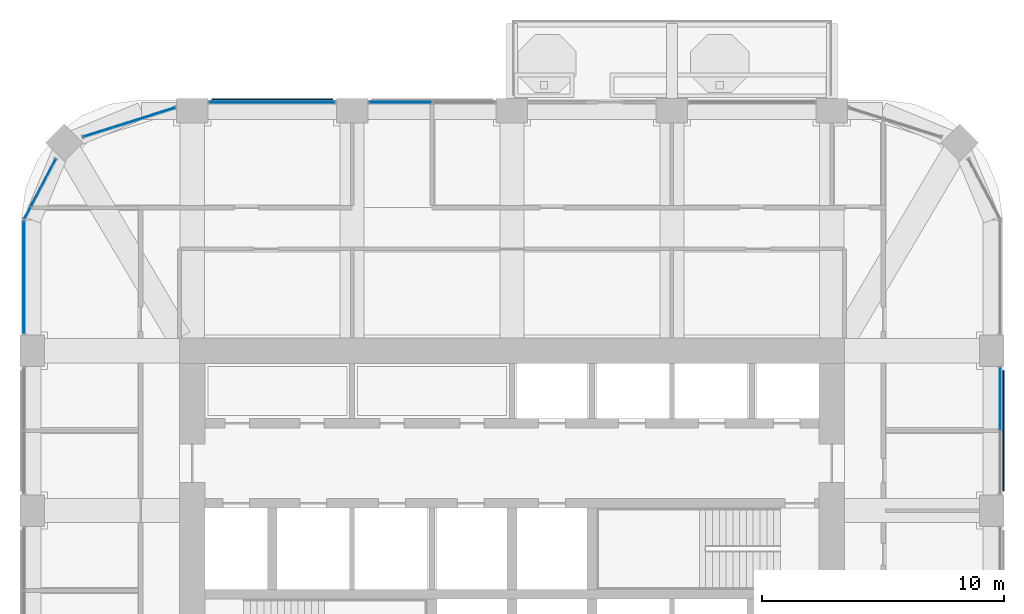
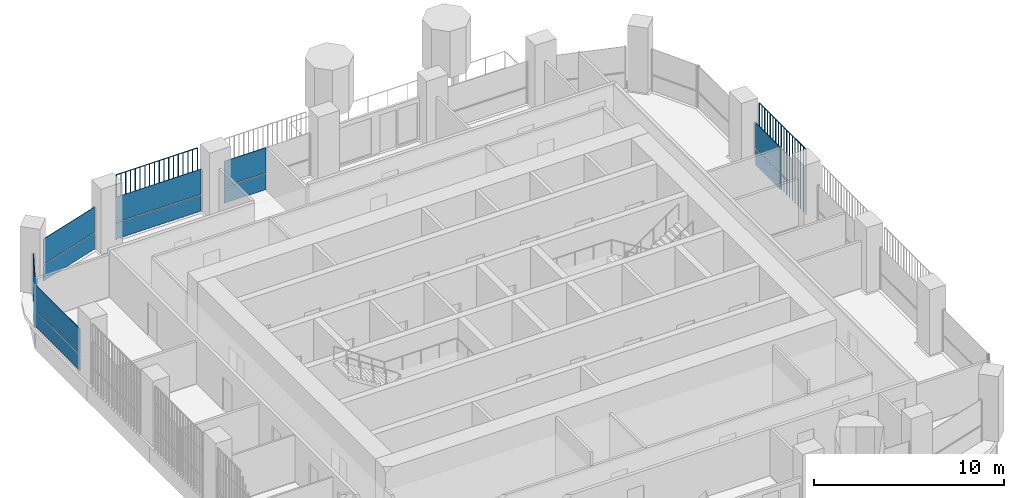
# One storey, part 12 of 20: 16 plates, 6 elements without a shape of their own.
"""IFC4 building model written with IfcOpenShell, lengths in metres."""

from ifc_helpers import new_model, si_unit, direction, frame, origin, origin_2d, place, context, subcontext, project, spatial, polyline, rectangle, outline, extrude, material, layer, layer_set, type_object, element, aggregate, save


model = new_model("IFC4")

# Units and contexts
model_context = context("Model", 3, precision=1e-05, world=origin(), true_north=direction((0.0, 1.0)))
body_context = subcontext(model_context, "Body", "Model", "MODEL_VIEW")
ifc_project = project(units=[si_unit("LENGTHUNIT", "METRE"), si_unit("AREAUNIT", "SQUARE_METRE"), si_unit("VOLUMEUNIT", "CUBIC_METRE"), si_unit("PLANEANGLEUNIT", "RADIAN"), si_unit("MASSUNIT", "GRAM", prefix="KILO")], contexts=[model_context])

# Site, building, storey
site_placement = place(None, origin())
site = spatial("IfcSite", under=ifc_project, at=site_placement, CompositionType="ELEMENT")
building_placement = place(site_placement, origin())
building = spatial("IfcBuilding", under=site, at=building_placement, Name="Cobogo Forest Laboratory Tower", CompositionType="ELEMENT")
storey_placement = place(building_placement, frame((0.0, 0.0, 233.39990234375)))
storey = spatial("IfcBuildingStorey", under=building, at=storey_placement, Name="L53", CompositionType="ELEMENT", Elevation=233.39990234375)

# Curtain wall, plates
ifc_material_1 = material(Name="Aluminium curtain wall", Category="aluminium")
curtain_wall_type = type_object("IfcCurtainWallType", Name="CW-2 unitised curtain wall, solar control glazing, laboratory floors zones C and D", PredefinedType="USERDEFINED", material=ifc_material_1)
curtain_wall_1_placement = place(storey_placement, origin())
curtain_wall_1 = element("IfcCurtainWall", 1, at=curtain_wall_1_placement, inside=storey, type_object=curtain_wall_type, Name="Curtain wall 10 L53", ObjectType="UNITISED CURTAIN WALL", PredefinedType="USERDEFINED")
ifc_material_2 = material(Name="Solar control insulated glass", Category="glass")
ifc_layer = layer(ifc_material_2, 0.031982421875)
ifc_layer_set = layer_set([ifc_layer], Name="GP-2 solar control glass unit 32")
plate_type_1 = type_object("IfcPlateType", Name="GP-2 solar control glass unit 32", PredefinedType="CURTAIN_PANEL", material=ifc_layer_set)
plate_1_placement = place(storey_placement, frame((46.550048828125, 31.010009765625, 0.0), z_axis=(0.0, 0.0, 1.0), x_axis=(0.0, 1.0, 0.0)))
plate_1 = element("IfcPlate", 2, at=plate_1_placement, type_object=plate_type_1, Name="CW-2 panel 2.1", PredefinedType="CURTAIN_PANEL", context=body_context, shape_type="SweptSolid", body=[
    extrude(rectangle(XDim=2.56005859375, YDim=0.031982421875, at=origin_2d()), origin(), (0.0, 0.0, 1.0), 1.02001953125),
])
plate_2_placement = place(storey_placement, frame((46.550048828125, 31.010009765625, 1.080078125), z_axis=(0.0, 0.0, 1.0), x_axis=(0.0, 1.0, 0.0)))
plate_2 = element("IfcPlate", 3, at=plate_2_placement, type_object=plate_type_1, Name="CW-2 panel 2.2", PredefinedType="CURTAIN_PANEL", context=body_context, shape_type="SweptSolid", body=[
    extrude(rectangle(XDim=2.56005859375, YDim=0.031982421875, at=origin_2d()), origin(), (0.0, 0.0, 1.0), 1.6201171875),
])
aggregate(curtain_wall_1, [plate_1, plate_2])

curtain_wall_2_placement = place(storey_placement, origin())
curtain_wall_2 = element("IfcCurtainWall", 4, at=curtain_wall_2_placement, inside=storey, type_object=curtain_wall_type, Name="Curtain wall 16 L53", ObjectType="UNITISED CURTAIN WALL", PredefinedType="USERDEFINED")
plate_3_placement = place(storey_placement, frame((21.7900390625, 43.25, 0.0), z_axis=(0.0, 0.0, 1.0), x_axis=(-1.0, 0.0, 0.0)))
plate_3 = element("IfcPlate", 5, at=plate_3_placement, type_object=plate_type_1, Name="CW-2 panel 2.1", PredefinedType="CURTAIN_PANEL", context=body_context, shape_type="SweptSolid", body=[
    extrude(rectangle(XDim=2.56005859375, YDim=0.031982421875, at=origin_2d()), origin(), (0.0, 0.0, 1.0), 1.02001953125),
])
plate_4_placement = place(storey_placement, frame((21.7900390625, 43.25, 1.080078125), z_axis=(0.0, 0.0, 1.0), x_axis=(-1.0, 0.0, 0.0)))
plate_4 = element("IfcPlate", 6, at=plate_4_placement, type_object=plate_type_1, Name="CW-2 panel 2.2", PredefinedType="CURTAIN_PANEL", context=body_context, shape_type="SweptSolid", body=[
    extrude(rectangle(XDim=2.56005859375, YDim=0.031982421875, at=origin_2d()), origin(), (0.0, 0.0, 1.0), 1.6201171875),
])
aggregate(curtain_wall_2, [plate_3, plate_4])

curtain_wall_3_placement = place(storey_placement, origin())
curtain_wall_3 = element("IfcCurtainWall", 7, at=curtain_wall_3_placement, inside=storey, type_object=curtain_wall_type, Name="Curtain wall 17 L53", ObjectType="UNITISED CURTAIN WALL", PredefinedType="USERDEFINED")
plate_5_placement = place(storey_placement, frame((16.5, 43.25, 0.0), z_axis=(0.0, 0.0, 1.0), x_axis=(-1.0, 0.0, 0.0)))
plate_5 = element("IfcPlate", 8, at=plate_5_placement, type_object=plate_type_1, Name="CW-2 panel 1.1", PredefinedType="CURTAIN_PANEL", context=body_context, shape_type="SweptSolid", body=[
    extrude(rectangle(XDim=5.179931640625, YDim=0.031982421875, at=origin_2d()), origin(), (0.0, 0.0, 1.0), 1.02001953125),
])
plate_6_placement = place(storey_placement, frame((16.5, 43.25, 1.080078125), z_axis=(0.0, 0.0, 1.0), x_axis=(-1.0, 0.0, 0.0)))
plate_6 = element("IfcPlate", 9, at=plate_6_placement, type_object=plate_type_1, Name="CW-2 panel 1.2", PredefinedType="CURTAIN_PANEL", context=body_context, shape_type="SweptSolid", body=[
    extrude(rectangle(XDim=5.179931640625, YDim=0.031982421875, at=origin_2d()), origin(), (0.0, 0.0, 1.0), 1.6201171875),
])
aggregate(curtain_wall_3, [plate_5, plate_6])

curtain_wall_4_placement = place(storey_placement, origin())
curtain_wall_4 = element("IfcCurtainWall", 10, at=curtain_wall_4_placement, inside=storey, type_object=curtain_wall_type, Name="Curtain wall 18 L53", ObjectType="UNITISED CURTAIN WALL", PredefinedType="USERDEFINED")
plate_7_placement = place(storey_placement, frame((10.599365234375, 42.4287109375, 0.0), z_axis=(0.0, 0.0, 1.0), x_axis=(-0.953581331491, -0.301135591107, 0.0)))
plate_7 = element("IfcPlate", 11, at=plate_7_placement, type_object=plate_type_1, Name="CW-2 panel 1.1", PredefinedType="CURTAIN_PANEL", context=body_context, shape_type="SweptSolid", body=[
    extrude(rectangle(XDim=3.970947265625, YDim=0.031982421875, at=origin_2d()), origin(), (0.0, 0.0, 1.0), 1.02001953125),
])
plate_8_placement = place(storey_placement, frame((10.599365234375, 42.4287109375, 1.080078125), z_axis=(0.0, 0.0, 1.0), x_axis=(-0.953581331491, -0.301135591107, 0.0)))
plate_8 = element("IfcPlate", 12, at=plate_8_placement, type_object=plate_type_1, Name="CW-2 panel 1.2", PredefinedType="CURTAIN_PANEL", context=body_context, shape_type="SweptSolid", body=[
    extrude(rectangle(XDim=3.970947265625, YDim=0.031982421875, at=origin_2d()), origin(), (0.0, 0.0, 1.0), 1.6201171875),
])
aggregate(curtain_wall_4, [plate_7, plate_8])

curtain_wall_5_placement = place(storey_placement, origin())
curtain_wall_5 = element("IfcCurtainWall", 13, at=curtain_wall_5_placement, inside=storey, type_object=curtain_wall_type, Name="Curtain wall 19 L53", ObjectType="UNITISED CURTAIN WALL", PredefinedType="USERDEFINED")
plate_9_placement = place(storey_placement, frame((7.052490234375, 39.930908203125, 0.0), z_axis=(0.0, 0.0, 1.0), x_axis=(-0.464283804832, -0.885686484356, 0.0)))
plate_9 = element("IfcPlate", 14, at=plate_9_placement, type_object=plate_type_1, Name="CW-2 panel 1.1", PredefinedType="CURTAIN_PANEL", context=body_context, shape_type="SweptSolid", body=[
    extrude(rectangle(XDim=2.183837890625, YDim=0.031982421875, at=origin_2d()), origin(), (0.0, 0.0, 1.0), 1.02001953125),
])
plate_10_placement = place(storey_placement, frame((7.052490234375, 39.930908203125, 1.080078125), z_axis=(0.0, 0.0, 1.0), x_axis=(-0.464283804832, -0.885686484356, 0.0)))
plate_10 = element("IfcPlate", 15, at=plate_10_placement, type_object=plate_type_1, Name="CW-2 panel 1.2", PredefinedType="CURTAIN_PANEL", context=body_context, shape_type="SweptSolid", body=[
    extrude(rectangle(XDim=2.183837890625, YDim=0.031982421875, at=origin_2d()), origin(), (0.0, 0.0, 1.0), 1.6201171875),
])
plate_11_placement = place(storey_placement, frame((6.397705078125, 38.681884765625, 0.0), z_axis=(0.0, 0.0, 1.0), x_axis=(-0.464283804832, -0.885686484356, 0.0)))
plate_11 = element("IfcPlate", 16, at=plate_11_placement, type_object=plate_type_1, Name="CW-2 panel 2.1", PredefinedType="CURTAIN_PANEL", context=body_context, shape_type="SweptSolid", body=[
    extrude(rectangle(XDim=0.516357421875, YDim=0.031982421875, at=origin_2d()), origin(), (0.0, 0.0, 1.0), 1.02001953125),
])
plate_12_placement = place(storey_placement, frame((6.397705078125, 38.681884765625, 1.080078125), z_axis=(0.0, 0.0, 1.0), x_axis=(-0.464283804832, -0.885686484356, 0.0)))
plate_12 = element("IfcPlate", 17, at=plate_12_placement, type_object=plate_type_1, Name="CW-2 panel 2.2", PredefinedType="CURTAIN_PANEL", context=body_context, shape_type="SweptSolid", body=[
    extrude(rectangle(XDim=0.516357421875, YDim=0.031982421875, at=origin_2d()), origin(), (0.0, 0.0, 1.0), 1.6201171875),
])
aggregate(curtain_wall_5, [plate_9, plate_10, plate_11, plate_12])

curtain_wall_6_placement = place(storey_placement, origin())
curtain_wall_6 = element("IfcCurtainWall", 18, at=curtain_wall_6_placement, inside=storey, type_object=curtain_wall_type, Name="Curtain wall 20 L53", ObjectType="UNITISED CURTAIN WALL", PredefinedType="USERDEFINED")
plate_13_placement = place(storey_placement, frame((6.25, 36.02490234375, 0.0), z_axis=(0.0, 0.0, 1.0), x_axis=(0.0, -1.0, 0.0)))
plate_13 = element("IfcPlate", 19, at=plate_13_placement, type_object=plate_type_1, Name="CW-2 panel 1.1", PredefinedType="CURTAIN_PANEL", context=body_context, shape_type="SweptSolid", body=[
    extrude(rectangle(XDim=4.6298828125, YDim=0.031982421875, at=origin_2d()), origin(), (0.0, 0.0, 1.0), 1.02001953125),
])
plate_14_placement = place(storey_placement, frame((6.25, 36.02490234375, 1.080078125), z_axis=(0.0, 0.0, 1.0), x_axis=(0.0, -1.0, 0.0)))
plate_14 = element("IfcPlate", 20, at=plate_14_placement, type_object=plate_type_1, Name="CW-2 panel 1.2", PredefinedType="CURTAIN_PANEL", context=body_context, shape_type="SweptSolid", body=[
    extrude(rectangle(XDim=4.6298828125, YDim=0.031982421875, at=origin_2d()), origin(), (0.0, 0.0, 1.0), 1.6201171875),
])
aggregate(curtain_wall_6, [plate_13, plate_14])

# Plates
ifc_material_3 = material(Name="Terracotta", Category="masonry")
plate_type_2 = type_object("IfcPlateType", Name="TB1 terracotta baguette screen", PredefinedType="USERDEFINED", material=ifc_material_3)
plate_15_placement = place(storey_placement, frame((46.677978515625, 27.231201171875, -0.14990234375)))
element("IfcPlate", 21, at=plate_15_placement, inside=storey, type_object=plate_type_2, Name="Baguette screen E3 L53", ObjectType="BAGUETTE SCREEN", PredefinedType="USERDEFINED", context=body_context, shape_type="SweptSolid", body=[
    extrude(outline(polyline([(0.02880859375, 0.011962890625), (0.011962890625, 0.02880859375), (-0.011962890625, 0.02880859375), (-0.02880859375, 0.011962890625), (-0.02880859375, -0.011962890625), (-0.011962890625, -0.02880859375), (0.011962890625, -0.02880859375), (0.02880859375, -0.011962890625), (0.02880859375, 0.011962890625)])), frame((0.0, 0.0, 4.168701171875), z_axis=(0.0, 1.0, 0.0), x_axis=(-1.0, 0.0, 0.0)), (0.0, 0.0, 1.0), 4.9375),
    extrude(outline(polyline([(0.02880859375, 0.011962890625), (0.011962890625, 0.02880859375), (-0.011962890625, 0.02880859375), (-0.02880859375, 0.011962890625), (-0.02880859375, -0.011962890625), (-0.011962890625, -0.02880859375), (0.011962890625, -0.02880859375), (0.02880859375, -0.011962890625), (0.02880859375, 0.011962890625)])), origin(), (0.0, 0.0, 1.0), 4.137451171875),
    extrude(outline(polyline([(0.02880859375, 0.011962890625), (0.011962890625, 0.02880859375), (-0.011962890625, 0.02880859375), (-0.02880859375, 0.011962890625), (-0.02880859375, -0.011962890625), (-0.011962890625, -0.02880859375), (0.011962890625, -0.02880859375), (0.02880859375, -0.011962890625), (0.02880859375, 0.011962890625)])), frame((0.0, 0.29052734375, 0.0)), (0.0, 0.0, 1.0), 4.137451171875),
    extrude(outline(polyline([(0.02880859375, 0.011962890625), (0.011962890625, 0.02880859375), (-0.011962890625, 0.02880859375), (-0.02880859375, 0.011962890625), (-0.02880859375, -0.011962890625), (-0.011962890625, -0.02880859375), (0.011962890625, -0.02880859375), (0.02880859375, -0.011962890625), (0.02880859375, 0.011962890625)])), frame((0.0, 0.580810546875, 0.0)), (0.0, 0.0, 1.0), 4.137451171875),
    extrude(outline(polyline([(0.02880859375, 0.011962890625), (0.011962890625, 0.02880859375), (-0.011962890625, 0.02880859375), (-0.02880859375, 0.011962890625), (-0.02880859375, -0.011962890625), (-0.011962890625, -0.02880859375), (0.011962890625, -0.02880859375), (0.02880859375, -0.011962890625), (0.02880859375, 0.011962890625)])), frame((0.0, 0.871337890625, 0.0)), (0.0, 0.0, 1.0), 4.137451171875),
    extrude(outline(polyline([(0.02880859375, 0.011962890625), (0.011962890625, 0.02880859375), (-0.011962890625, 0.02880859375), (-0.02880859375, 0.011962890625), (-0.02880859375, -0.011962890625), (-0.011962890625, -0.02880859375), (0.011962890625, -0.02880859375), (0.02880859375, -0.011962890625), (0.02880859375, 0.011962890625)])), frame((0.0, 1.161865234375, 0.0)), (0.0, 0.0, 1.0), 4.137451171875),
    extrude(outline(polyline([(0.02880859375, 0.011962890625), (0.011962890625, 0.02880859375), (-0.011962890625, 0.02880859375), (-0.02880859375, 0.011962890625), (-0.02880859375, -0.011962890625), (-0.011962890625, -0.02880859375), (0.011962890625, -0.02880859375), (0.02880859375, -0.011962890625), (0.02880859375, 0.011962890625)])), frame((0.0, 1.4521484375, 0.0)), (0.0, 0.0, 1.0), 4.137451171875),
    extrude(outline(polyline([(0.02880859375, 0.011962890625), (0.011962890625, 0.02880859375), (-0.011962890625, 0.02880859375), (-0.02880859375, 0.011962890625), (-0.02880859375, -0.011962890625), (-0.011962890625, -0.02880859375), (0.011962890625, -0.02880859375), (0.02880859375, -0.011962890625), (0.02880859375, 0.011962890625)])), frame((0.0, 1.74267578125, 0.0)), (0.0, 0.0, 1.0), 4.137451171875),
    extrude(outline(polyline([(0.02880859375, 0.011962890625), (0.011962890625, 0.02880859375), (-0.011962890625, 0.02880859375), (-0.02880859375, 0.011962890625), (-0.02880859375, -0.011962890625), (-0.011962890625, -0.02880859375), (0.011962890625, -0.02880859375), (0.02880859375, -0.011962890625), (0.02880859375, 0.011962890625)])), frame((0.0, 2.033203125, 0.0)), (0.0, 0.0, 1.0), 4.137451171875),
    extrude(outline(polyline([(0.02880859375, 0.011962890625), (0.011962890625, 0.02880859375), (-0.011962890625, 0.02880859375), (-0.02880859375, 0.011962890625), (-0.02880859375, -0.011962890625), (-0.011962890625, -0.02880859375), (0.011962890625, -0.02880859375), (0.02880859375, -0.011962890625), (0.02880859375, 0.011962890625)])), frame((0.0, 2.323486328125, 0.0)), (0.0, 0.0, 1.0), 4.137451171875),
    extrude(outline(polyline([(0.02880859375, 0.011962890625), (0.011962890625, 0.02880859375), (-0.011962890625, 0.02880859375), (-0.02880859375, 0.011962890625), (-0.02880859375, -0.011962890625), (-0.011962890625, -0.02880859375), (0.011962890625, -0.02880859375), (0.02880859375, -0.011962890625), (0.02880859375, 0.011962890625)])), frame((0.0, 2.614013671875, 0.0)), (0.0, 0.0, 1.0), 4.137451171875),
    extrude(outline(polyline([(0.02880859375, 0.011962890625), (0.011962890625, 0.02880859375), (-0.011962890625, 0.02880859375), (-0.02880859375, 0.011962890625), (-0.02880859375, -0.011962890625), (-0.011962890625, -0.02880859375), (0.011962890625, -0.02880859375), (0.02880859375, -0.011962890625), (0.02880859375, 0.011962890625)])), frame((0.0, 2.904296875, 0.0)), (0.0, 0.0, 1.0), 4.137451171875),
    extrude(outline(polyline([(0.02880859375, 0.011962890625), (0.011962890625, 0.02880859375), (-0.011962890625, 0.02880859375), (-0.02880859375, 0.011962890625), (-0.02880859375, -0.011962890625), (-0.011962890625, -0.02880859375), (0.011962890625, -0.02880859375), (0.02880859375, -0.011962890625), (0.02880859375, 0.011962890625)])), frame((0.0, 3.19482421875, 0.0)), (0.0, 0.0, 1.0), 4.137451171875),
    extrude(outline(polyline([(0.02880859375, 0.011962890625), (0.011962890625, 0.02880859375), (-0.011962890625, 0.02880859375), (-0.02880859375, 0.011962890625), (-0.02880859375, -0.011962890625), (-0.011962890625, -0.02880859375), (0.011962890625, -0.02880859375), (0.02880859375, -0.011962890625), (0.02880859375, 0.011962890625)])), frame((0.0, 3.4853515625, 0.0)), (0.0, 0.0, 1.0), 4.137451171875),
    extrude(outline(polyline([(0.02880859375, 0.011962890625), (0.011962890625, 0.02880859375), (-0.011962890625, 0.02880859375), (-0.02880859375, 0.011962890625), (-0.02880859375, -0.011962890625), (-0.011962890625, -0.02880859375), (0.011962890625, -0.02880859375), (0.02880859375, -0.011962890625), (0.02880859375, 0.011962890625)])), frame((0.0, 3.775634765625, 0.0)), (0.0, 0.0, 1.0), 4.137451171875),
    extrude(outline(polyline([(0.02880859375, 0.011962890625), (0.011962890625, 0.02880859375), (-0.011962890625, 0.02880859375), (-0.02880859375, 0.011962890625), (-0.02880859375, -0.011962890625), (-0.011962890625, -0.02880859375), (0.011962890625, -0.02880859375), (0.02880859375, -0.011962890625), (0.02880859375, 0.011962890625)])), frame((0.0, 4.066162109375, 0.0)), (0.0, 0.0, 1.0), 4.137451171875),
    extrude(outline(polyline([(0.02880859375, 0.011962890625), (0.011962890625, 0.02880859375), (-0.011962890625, 0.02880859375), (-0.02880859375, 0.011962890625), (-0.02880859375, -0.011962890625), (-0.011962890625, -0.02880859375), (0.011962890625, -0.02880859375), (0.02880859375, -0.011962890625), (0.02880859375, 0.011962890625)])), frame((0.0, 4.356689453125, 0.0)), (0.0, 0.0, 1.0), 4.137451171875),
    extrude(outline(polyline([(0.02880859375, 0.011962890625), (0.011962890625, 0.02880859375), (-0.011962890625, 0.02880859375), (-0.02880859375, 0.011962890625), (-0.02880859375, -0.011962890625), (-0.011962890625, -0.02880859375), (0.011962890625, -0.02880859375), (0.02880859375, -0.011962890625), (0.02880859375, 0.011962890625)])), frame((0.0, 4.64697265625, 0.0)), (0.0, 0.0, 1.0), 4.137451171875),
    extrude(outline(polyline([(0.02880859375, 0.011962890625), (0.011962890625, 0.02880859375), (-0.011962890625, 0.02880859375), (-0.02880859375, 0.011962890625), (-0.02880859375, -0.011962890625), (-0.011962890625, -0.02880859375), (0.011962890625, -0.02880859375), (0.02880859375, -0.011962890625), (0.02880859375, 0.011962890625)])), frame((0.0, 4.9375, 0.0)), (0.0, 0.0, 1.0), 4.137451171875),
])
plate_16_placement = place(storey_placement, frame((14.03125, 43.3779296875, -0.14990234375)))
element("IfcPlate", 22, at=plate_16_placement, inside=storey, type_object=plate_type_2, Name="Baguette screen N1 L53", ObjectType="BAGUETTE SCREEN", PredefinedType="USERDEFINED", context=body_context, shape_type="SweptSolid", body=[
    extrude(outline(polyline([(0.02880859375, 0.011962890625), (0.011962890625, 0.02880859375), (-0.011962890625, 0.02880859375), (-0.02880859375, 0.011962890625), (-0.02880859375, -0.011962890625), (-0.011962890625, -0.02880859375), (0.011962890625, -0.02880859375), (0.02880859375, -0.011962890625), (0.02880859375, 0.011962890625)])), frame((0.0, 0.0, 4.168701171875), z_axis=(1.0, 0.0, 0.0), x_axis=(0.0, 1.0, 0.0)), (0.0, 0.0, 1.0), 4.9375),
    extrude(outline(polyline([(0.02880859375, 0.011962890625), (0.011962890625, 0.02880859375), (-0.011962890625, 0.02880859375), (-0.02880859375, 0.011962890625), (-0.02880859375, -0.011962890625), (-0.011962890625, -0.02880859375), (0.011962890625, -0.02880859375), (0.02880859375, -0.011962890625), (0.02880859375, 0.011962890625)])), origin(), (0.0, 0.0, 1.0), 4.137451171875),
    extrude(outline(polyline([(0.02880859375, 0.011962890625), (0.011962890625, 0.02880859375), (-0.011962890625, 0.02880859375), (-0.02880859375, 0.011962890625), (-0.02880859375, -0.011962890625), (-0.011962890625, -0.02880859375), (0.011962890625, -0.02880859375), (0.02880859375, -0.011962890625), (0.02880859375, 0.011962890625)])), frame((0.29052734375, 0.0, 0.0)), (0.0, 0.0, 1.0), 4.137451171875),
    extrude(outline(polyline([(0.02880859375, 0.011962890625), (0.011962890625, 0.02880859375), (-0.011962890625, 0.02880859375), (-0.02880859375, 0.011962890625), (-0.02880859375, -0.011962890625), (-0.011962890625, -0.02880859375), (0.011962890625, -0.02880859375), (0.02880859375, -0.011962890625), (0.02880859375, 0.011962890625)])), frame((0.580810546875, 0.0, 0.0)), (0.0, 0.0, 1.0), 4.137451171875),
    extrude(outline(polyline([(0.02880859375, 0.011962890625), (0.011962890625, 0.02880859375), (-0.011962890625, 0.02880859375), (-0.02880859375, 0.011962890625), (-0.02880859375, -0.011962890625), (-0.011962890625, -0.02880859375), (0.011962890625, -0.02880859375), (0.02880859375, -0.011962890625), (0.02880859375, 0.011962890625)])), frame((0.871337890625, 0.0, 0.0)), (0.0, 0.0, 1.0), 4.137451171875),
    extrude(outline(polyline([(0.02880859375, 0.011962890625), (0.011962890625, 0.02880859375), (-0.011962890625, 0.02880859375), (-0.02880859375, 0.011962890625), (-0.02880859375, -0.011962890625), (-0.011962890625, -0.02880859375), (0.011962890625, -0.02880859375), (0.02880859375, -0.011962890625), (0.02880859375, 0.011962890625)])), frame((1.161865234375, 0.0, 0.0)), (0.0, 0.0, 1.0), 4.137451171875),
    extrude(outline(polyline([(0.02880859375, 0.011962890625), (0.011962890625, 0.02880859375), (-0.011962890625, 0.02880859375), (-0.02880859375, 0.011962890625), (-0.02880859375, -0.011962890625), (-0.011962890625, -0.02880859375), (0.011962890625, -0.02880859375), (0.02880859375, -0.011962890625), (0.02880859375, 0.011962890625)])), frame((1.4521484375, 0.0, 0.0)), (0.0, 0.0, 1.0), 4.137451171875),
    extrude(outline(polyline([(0.02880859375, 0.011962890625), (0.011962890625, 0.02880859375), (-0.011962890625, 0.02880859375), (-0.02880859375, 0.011962890625), (-0.02880859375, -0.011962890625), (-0.011962890625, -0.02880859375), (0.011962890625, -0.02880859375), (0.02880859375, -0.011962890625), (0.02880859375, 0.011962890625)])), frame((1.74267578125, 0.0, 0.0)), (0.0, 0.0, 1.0), 4.137451171875),
    extrude(outline(polyline([(0.02880859375, 0.011962890625), (0.011962890625, 0.02880859375), (-0.011962890625, 0.02880859375), (-0.02880859375, 0.011962890625), (-0.02880859375, -0.011962890625), (-0.011962890625, -0.02880859375), (0.011962890625, -0.02880859375), (0.02880859375, -0.011962890625), (0.02880859375, 0.011962890625)])), frame((2.033203125, 0.0, 0.0)), (0.0, 0.0, 1.0), 4.137451171875),
    extrude(outline(polyline([(0.02880859375, 0.011962890625), (0.011962890625, 0.02880859375), (-0.011962890625, 0.02880859375), (-0.02880859375, 0.011962890625), (-0.02880859375, -0.011962890625), (-0.011962890625, -0.02880859375), (0.011962890625, -0.02880859375), (0.02880859375, -0.011962890625), (0.02880859375, 0.011962890625)])), frame((2.323486328125, 0.0, 0.0)), (0.0, 0.0, 1.0), 4.137451171875),
    extrude(outline(polyline([(0.02880859375, 0.011962890625), (0.011962890625, 0.02880859375), (-0.011962890625, 0.02880859375), (-0.02880859375, 0.011962890625), (-0.02880859375, -0.011962890625), (-0.011962890625, -0.02880859375), (0.011962890625, -0.02880859375), (0.02880859375, -0.011962890625), (0.02880859375, 0.011962890625)])), frame((2.614013671875, 0.0, 0.0)), (0.0, 0.0, 1.0), 4.137451171875),
    extrude(outline(polyline([(0.02880859375, 0.011962890625), (0.011962890625, 0.02880859375), (-0.011962890625, 0.02880859375), (-0.02880859375, 0.011962890625), (-0.02880859375, -0.011962890625), (-0.011962890625, -0.02880859375), (0.011962890625, -0.02880859375), (0.02880859375, -0.011962890625), (0.02880859375, 0.011962890625)])), frame((2.904296875, 0.0, 0.0)), (0.0, 0.0, 1.0), 4.137451171875),
    extrude(outline(polyline([(0.02880859375, 0.011962890625), (0.011962890625, 0.02880859375), (-0.011962890625, 0.02880859375), (-0.02880859375, 0.011962890625), (-0.02880859375, -0.011962890625), (-0.011962890625, -0.02880859375), (0.011962890625, -0.02880859375), (0.02880859375, -0.011962890625), (0.02880859375, 0.011962890625)])), frame((3.19482421875, 0.0, 0.0)), (0.0, 0.0, 1.0), 4.137451171875),
    extrude(outline(polyline([(0.02880859375, 0.011962890625), (0.011962890625, 0.02880859375), (-0.011962890625, 0.02880859375), (-0.02880859375, 0.011962890625), (-0.02880859375, -0.011962890625), (-0.011962890625, -0.02880859375), (0.011962890625, -0.02880859375), (0.02880859375, -0.011962890625), (0.02880859375, 0.011962890625)])), frame((3.4853515625, 0.0, 0.0)), (0.0, 0.0, 1.0), 4.137451171875),
    extrude(outline(polyline([(0.02880859375, 0.011962890625), (0.011962890625, 0.02880859375), (-0.011962890625, 0.02880859375), (-0.02880859375, 0.011962890625), (-0.02880859375, -0.011962890625), (-0.011962890625, -0.02880859375), (0.011962890625, -0.02880859375), (0.02880859375, -0.011962890625), (0.02880859375, 0.011962890625)])), frame((3.775634765625, 0.0, 0.0)), (0.0, 0.0, 1.0), 4.137451171875),
    extrude(outline(polyline([(0.02880859375, 0.011962890625), (0.011962890625, 0.02880859375), (-0.011962890625, 0.02880859375), (-0.02880859375, 0.011962890625), (-0.02880859375, -0.011962890625), (-0.011962890625, -0.02880859375), (0.011962890625, -0.02880859375), (0.02880859375, -0.011962890625), (0.02880859375, 0.011962890625)])), frame((4.066162109375, 0.0, 0.0)), (0.0, 0.0, 1.0), 4.137451171875),
    extrude(outline(polyline([(0.02880859375, 0.011962890625), (0.011962890625, 0.02880859375), (-0.011962890625, 0.02880859375), (-0.02880859375, 0.011962890625), (-0.02880859375, -0.011962890625), (-0.011962890625, -0.02880859375), (0.011962890625, -0.02880859375), (0.02880859375, -0.011962890625), (0.02880859375, 0.011962890625)])), frame((4.356689453125, 0.0, 0.0)), (0.0, 0.0, 1.0), 4.137451171875),
    extrude(outline(polyline([(0.02880859375, 0.011962890625), (0.011962890625, 0.02880859375), (-0.011962890625, 0.02880859375), (-0.02880859375, 0.011962890625), (-0.02880859375, -0.011962890625), (-0.011962890625, -0.02880859375), (0.011962890625, -0.02880859375), (0.02880859375, -0.011962890625), (0.02880859375, 0.011962890625)])), frame((4.64697265625, 0.0, 0.0)), (0.0, 0.0, 1.0), 4.137451171875),
    extrude(outline(polyline([(0.02880859375, 0.011962890625), (0.011962890625, 0.02880859375), (-0.011962890625, 0.02880859375), (-0.02880859375, 0.011962890625), (-0.02880859375, -0.011962890625), (-0.011962890625, -0.02880859375), (0.011962890625, -0.02880859375), (0.02880859375, -0.011962890625), (0.02880859375, 0.011962890625)])), frame((4.9375, 0.0, 0.0)), (0.0, 0.0, 1.0), 4.137451171875),
])

save(model, "model.ifc")
